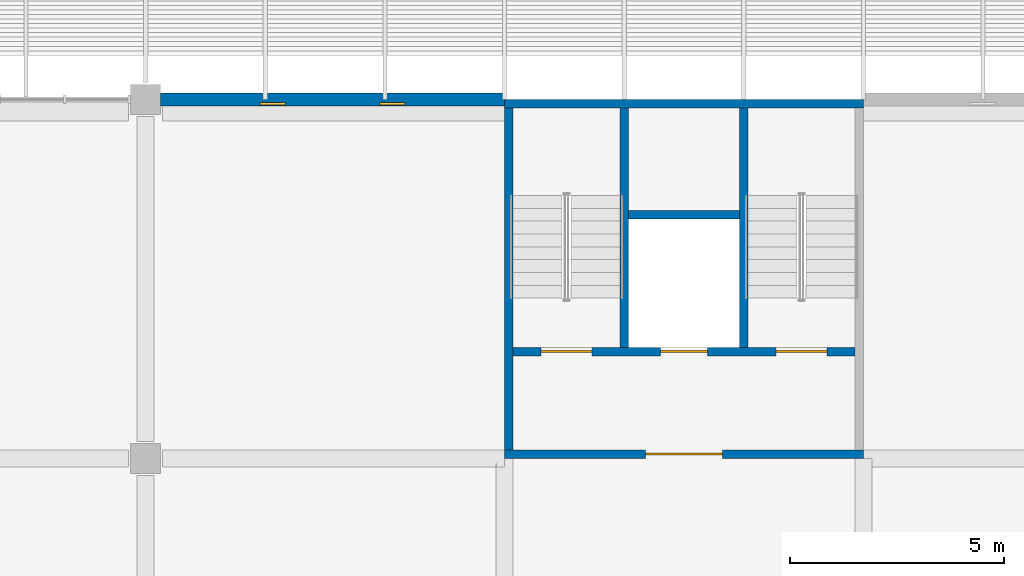
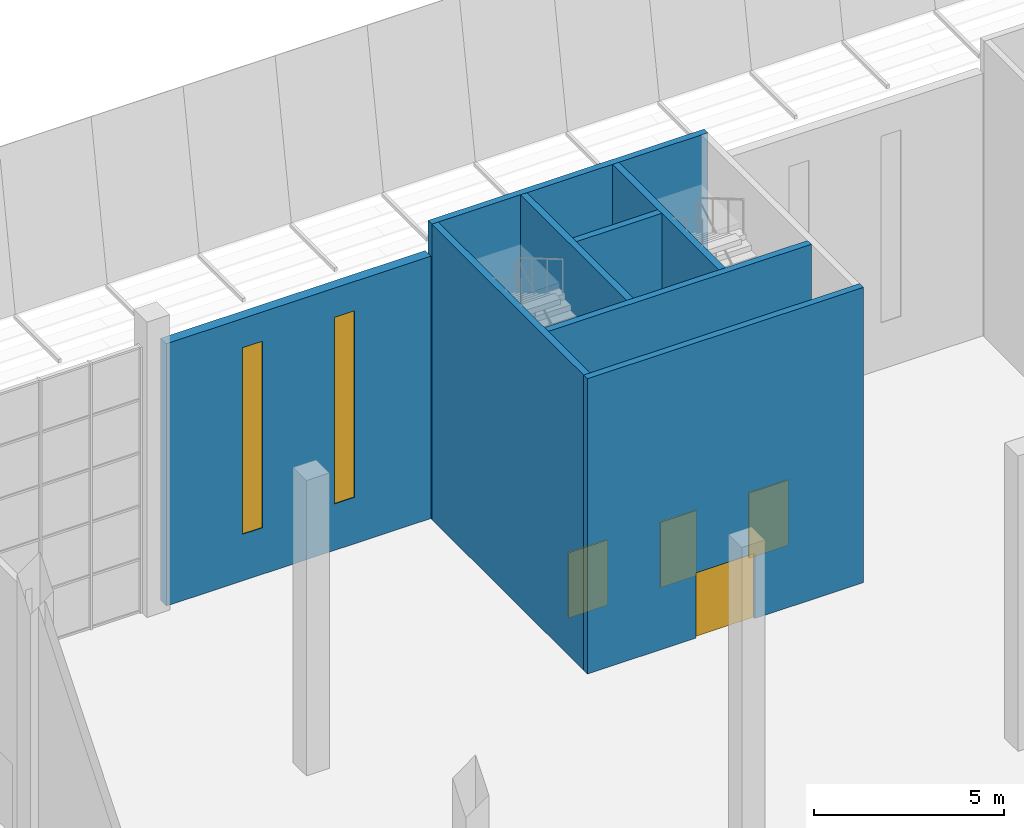
# One storey, part 48 of 114: 8 walls, 4 doors, 2 windows, 6 openings.
"""IFC4 building model written with IfcOpenShell, lengths in metres."""

from ifc_helpers import new_model, si_unit, direction, frame, frame_2d, origin, place, context, subcontext, project, spatial, rectangle, extrude, material, layer, layer_set, type_object, element, fill, save


model = new_model("IFC4")

# Units and contexts
model_context = context("Model", 3, precision=1e-05, world=origin(), true_north=direction((0.0, 1.0)))
body_context = subcontext(model_context, "Body", "Model", "MODEL_VIEW")
ifc_project = project(units=[si_unit("LENGTHUNIT", "METRE"), si_unit("AREAUNIT", "SQUARE_METRE"), si_unit("VOLUMEUNIT", "CUBIC_METRE"), si_unit("PLANEANGLEUNIT", "RADIAN"), si_unit("MASSUNIT", "GRAM", prefix="KILO")], contexts=[model_context])

# Site, building, storey
site_placement = place(None, origin())
site = spatial("IfcSite", under=ifc_project, at=site_placement, CompositionType="ELEMENT")
building_placement = place(site_placement, origin())
building = spatial("IfcBuilding", under=site, at=building_placement, Name="Almond Square Museum", CompositionType="ELEMENT")
storey_placement = place(building_placement, frame((0.0, 0.0, 10.5)))
storey = spatial("IfcBuildingStorey", under=building, at=storey_placement, Name="L02", CompositionType="ELEMENT", Elevation=10.5)

# Wall, openings, windows
ifc_material_1 = material(Name="Concrete C30/37", Category="concrete")
ifc_layer_1 = layer(ifc_material_1, 0.300048828125)
ifc_layer_set_1 = layer_set([ifc_layer_1], Name="Concrete C30/37")
wall_type_1 = type_object("IfcWallType", Name="Cast concrete wall 300 C30/37 behind louvre skin", PredefinedType="SOLIDWALL", material=ifc_layer_set_1)
wall_1_placement = place(storey_placement, frame((115.550048828125, 109.199951171875, 0.0), z_axis=(0.0, 0.0, 1.0), x_axis=(1.0, 0.0, 0.0)))
wall_1 = element("IfcWall", 1, at=wall_1_placement, inside=storey, type_object=wall_type_1, Name="External wall W1 V1 L02 N02", PredefinedType="SOLIDWALL", context=body_context, shape_type="SweptSolid", body=[
    extrude(rectangle(XDim=8.050048828125, YDim=0.300048828125, at=frame_2d((4.02490234375, 0.0))), origin(), (0.0, 0.0, 1.0), 8.43994140625),
])
opening_1_placement = place(wall_1_placement, frame((2.324951171875, 0.0, 1.5)))
opening_1 = element("IfcOpeningElement", 2, at=opening_1_placement, cuts=wall_1, Name="Opening W2107", PredefinedType="OPENING", context=body_context, shape_type="SweptSolid", body=[
    extrude(rectangle(XDim=0.60009765625, YDim=6.0, at=frame_2d((0.300048828125, 3.0))), frame((0.0, 0.159912109375, 0.0), z_axis=(0.0, -1.0, 0.0), x_axis=(1.0, 0.0, 0.0)), (0.0, 0.0, 1.0), 0.320068359375),
])
opening_2_placement = place(wall_1_placement, frame((5.125, 0.0, 1.5)))
opening_2 = element("IfcOpeningElement", 3, at=opening_2_placement, cuts=wall_1, Name="Opening W2108", PredefinedType="OPENING", context=body_context, shape_type="SweptSolid", body=[
    extrude(rectangle(XDim=0.60009765625, YDim=6.0, at=frame_2d((0.300048828125, 3.0))), frame((0.0, 0.159912109375, 0.0), z_axis=(0.0, -1.0, 0.0), x_axis=(1.0, 0.0, 0.0)), (0.0, 0.0, 1.0), 0.320068359375),
])
ifc_material_2 = material(Name="Anodised aluminium louvre and laminated glass", Category="aluminium")
window_type = type_object("IfcWindowType", Name="Tall slot window with storm louvre", PartitioningType="SINGLE_PANEL", PredefinedType="WINDOW", material=ifc_material_2)
window_1_placement = place(opening_1_placement, origin())
window_1 = element("IfcWindow", 4, at=window_1_placement, inside=storey, type_object=window_type, Name="Tall slot window with storm louvre W2107", OverallHeight=6.0, OverallWidth=0.60009765625, PartitioningType="SINGLE_PANEL", PredefinedType="WINDOW", context=body_context, shape_type="SweptSolid", body=[
    extrude(rectangle(XDim=0.60009765625, YDim=6.0, at=frame_2d((0.300048828125, 3.0))), frame((0.0, -0.070068359375, 0.0), z_axis=(0.0, -1.0, 0.0), x_axis=(1.0, 0.0, 0.0)), (0.0, 0.0, 1.0), 0.06005859375),
])
fill(opening_1, window_1)
window_2_placement = place(opening_2_placement, origin())
window_2 = element("IfcWindow", 5, at=window_2_placement, inside=storey, type_object=window_type, Name="Tall slot window with storm louvre W2108", OverallHeight=6.0, OverallWidth=0.60009765625, PartitioningType="SINGLE_PANEL", PredefinedType="WINDOW", context=body_context, shape_type="SweptSolid", body=[
    extrude(rectangle(XDim=0.60009765625, YDim=6.0, at=frame_2d((0.300048828125, 3.0))), frame((0.0, -0.070068359375, 0.0), z_axis=(0.0, -1.0, 0.0), x_axis=(1.0, 0.0, 0.0)), (0.0, 0.0, 1.0), 0.06005859375),
])
fill(opening_2, window_2)

# Wall, opening, door
ifc_material_3 = material(Name="Concrete C40/50", Category="concrete")
ifc_layer_2 = layer(ifc_material_3, 0.199951171875)
ifc_layer_set_2 = layer_set([ifc_layer_2], Name="Concrete C40/50")
wall_type_2 = type_object("IfcWallType", Name="RC shear wall 200 C40/50", PredefinedType="SHEAR", material=ifc_layer_set_2)
wall_2_placement = place(storey_placement, frame((123.60009765625, 100.89990234375, 0.0), z_axis=(0.0, 0.0, 1.0), x_axis=(1.0, 0.0, 0.0)))
wall_2 = element("IfcWall", 6, at=wall_2_placement, inside=storey, type_object=wall_type_2, Name="Core H4 south wall L02", PredefinedType="SHEAR", context=body_context, shape_type="SweptSolid", body=[
    extrude(rectangle(XDim=8.39990234375, YDim=0.199951171875, at=frame_2d((4.199951171875, 0.0))), origin(), (0.0, 0.0, 1.0), 9.5),
])
opening_3_placement = place(wall_2_placement, frame((3.300048828125, 0.0, 0.0)))
opening_3 = element("IfcOpeningElement", 7, at=opening_3_placement, cuts=wall_2, Name="Opening D2137", PredefinedType="OPENING", context=body_context, shape_type="SweptSolid", body=[
    extrude(rectangle(XDim=1.800048828125, YDim=2.10009765625, at=frame_2d((0.89990234375, 1.050048828125))), frame((0.0, 0.10986328125, 0.0), z_axis=(0.0, -1.0, 0.0), x_axis=(1.0, 0.0, 0.0)), (0.0, 0.0, 1.0), 0.219970703125),
])
ifc_material_4 = material(Name="Steel", Category="steel")
door_type_1 = type_object("IfcDoorType", Name="Fire door 1800 x 2100 FD60 double", OperationType="NOTDEFINED", PredefinedType="DOOR", material=ifc_material_4)
door_1_placement = place(opening_3_placement, origin())
door_1 = element("IfcDoor", 8, at=door_1_placement, inside=storey, type_object=door_type_1, Name="L02 stair core H4 lobby door", OperationType="DOUBLE_DOOR_SINGLE_SWING", OverallHeight=2.10009765625, OverallWidth=1.800048828125, PredefinedType="DOOR", context=body_context, shape_type="SweptSolid", body=[
    extrude(rectangle(XDim=1.800048828125, YDim=2.10009765625, at=frame_2d((0.89990234375, 1.050048828125))), frame((0.0, 0.02490234375, 0.0), z_axis=(0.0, -1.0, 0.0), x_axis=(1.0, 0.0, 0.0)), (0.0, 0.0, 1.0), 0.050048828125),
])
fill(opening_3, door_1)

# Walls
wall_3_placement = place(storey_placement, frame((123.60009765625, 109.10009765625, 0.0), z_axis=(0.0, 0.0, 1.0), x_axis=(1.0, 0.0, 0.0)))
element("IfcWall", 9, at=wall_3_placement, inside=storey, type_object=wall_type_2, Name="Core H4 north wall L02", PredefinedType="SHEAR", context=body_context, shape_type="SweptSolid", body=[
    extrude(rectangle(XDim=8.39990234375, YDim=0.199951171875, at=frame_2d((4.199951171875, 0.0))), origin(), (0.0, 0.0, 1.0), 9.5),
])
wall_4_placement = place(storey_placement, frame((123.699951171875, 101.0, 0.0), z_axis=(0.0, 0.0, 1.0), x_axis=(0.0, 1.0, 0.0)))
element("IfcWall", 10, at=wall_4_placement, inside=storey, type_object=wall_type_2, Name="Core H4 west wall L02", PredefinedType="SHEAR", context=body_context, shape_type="SweptSolid", body=[
    extrude(rectangle(XDim=8.0, YDim=0.199951171875, at=frame_2d((4.0, 0.0))), origin(), (0.0, 0.0, 1.0), 9.5),
])

# Wall, openings, doors
wall_5_placement = place(storey_placement, frame((123.800048828125, 103.300048828125, 0.0), z_axis=(0.0, 0.0, 1.0), x_axis=(1.0, 0.0, 0.0)))
wall_5 = element("IfcWall", 11, at=wall_5_placement, inside=storey, type_object=wall_type_2, Name="Core H4 lobby wall L02", PredefinedType="SHEAR", context=body_context, shape_type="SweptSolid", body=[
    extrude(rectangle(XDim=8.0, YDim=0.199951171875, at=frame_2d((4.0, 0.0))), origin(), (0.0, 0.0, 1.0), 9.5),
])
opening_4_placement = place(wall_5_placement, frame((0.64990234375, 0.0, 0.0)))
opening_4 = element("IfcOpeningElement", 12, at=opening_4_placement, cuts=wall_5, Name="Opening D2138", PredefinedType="OPENING", context=body_context, shape_type="SweptSolid", body=[
    extrude(rectangle(XDim=1.199951171875, YDim=2.10009765625, at=frame_2d((0.60009765625, 1.050048828125))), frame((0.0, 0.10986328125, 0.0), z_axis=(0.0, -1.0, 0.0), x_axis=(1.0, 0.0, 0.0)), (0.0, 0.0, 1.0), 0.219970703125),
])
opening_5_placement = place(wall_5_placement, frame((6.14990234375, 0.0, 0.0)))
opening_5 = element("IfcOpeningElement", 13, at=opening_5_placement, cuts=wall_5, Name="Opening D2139", PredefinedType="OPENING", context=body_context, shape_type="SweptSolid", body=[
    extrude(rectangle(XDim=1.199951171875, YDim=2.10009765625, at=frame_2d((0.60009765625, 1.050048828125))), frame((0.0, 0.10986328125, 0.0), z_axis=(0.0, -1.0, 0.0), x_axis=(1.0, 0.0, 0.0)), (0.0, 0.0, 1.0), 0.219970703125),
])
opening_6_placement = place(wall_5_placement, frame((3.449951171875, 0.0, 0.0)))
opening_6 = element("IfcOpeningElement", 14, at=opening_6_placement, cuts=wall_5, Name="Opening D2140", PredefinedType="OPENING", context=body_context, shape_type="SweptSolid", body=[
    extrude(rectangle(XDim=1.10009765625, YDim=2.10009765625, at=frame_2d((0.550048828125, 1.050048828125))), frame((0.0, 0.10986328125, 0.0), z_axis=(0.0, -1.0, 0.0), x_axis=(1.0, 0.0, 0.0)), (0.0, 0.0, 1.0), 0.219970703125),
])
ifc_material_5 = material(Name="Steel", Category="steel")
door_type_2 = type_object("IfcDoorType", Name="Fire door 1200 x 2100 FD120 stair", OperationType="NOTDEFINED", PredefinedType="DOOR", material=ifc_material_5)
door_2_placement = place(opening_4_placement, origin())
door_2 = element("IfcDoor", 15, at=door_2_placement, inside=storey, type_object=door_type_2, Name="L02 stair H4-1 door", OperationType="SINGLE_SWING_LEFT", OverallHeight=2.10009765625, OverallWidth=1.199951171875, PredefinedType="DOOR", context=body_context, shape_type="SweptSolid", body=[
    extrude(rectangle(XDim=1.199951171875, YDim=2.10009765625, at=frame_2d((0.60009765625, 1.050048828125))), frame((0.0, 0.02490234375, 0.0), z_axis=(0.0, -1.0, 0.0), x_axis=(1.0, 0.0, 0.0)), (0.0, 0.0, 1.0), 0.050048828125),
])
fill(opening_4, door_2)
door_3_placement = place(opening_5_placement, origin())
door_3 = element("IfcDoor", 16, at=door_3_placement, inside=storey, type_object=door_type_2, Name="L02 stair H4-2 door", OperationType="SINGLE_SWING_RIGHT", OverallHeight=2.10009765625, OverallWidth=1.199951171875, PredefinedType="DOOR", context=body_context, shape_type="SweptSolid", body=[
    extrude(rectangle(XDim=1.199951171875, YDim=2.10009765625, at=frame_2d((0.60009765625, 1.050048828125))), frame((0.0, 0.02490234375, 0.0), z_axis=(0.0, -1.0, 0.0), x_axis=(1.0, 0.0, 0.0)), (0.0, 0.0, 1.0), 0.050048828125),
])
fill(opening_5, door_3)
ifc_material_6 = material(Name="Stainless steel", Category="steel")
door_type_3 = type_object("IfcDoorType", Name="Lift landing door 1100 x 2100", OperationType="NOTDEFINED", PredefinedType="DOOR", material=ifc_material_6)
door_4_placement = place(opening_6_placement, origin())
door_4 = element("IfcDoor", 17, at=door_4_placement, inside=storey, type_object=door_type_3, Name="L02 lift PL-H4 landing door", OperationType="DOUBLE_DOOR_SLIDING", OverallHeight=2.10009765625, OverallWidth=1.10009765625, PredefinedType="DOOR", context=body_context, shape_type="SweptSolid", body=[
    extrude(rectangle(XDim=1.10009765625, YDim=2.10009765625, at=frame_2d((0.550048828125, 1.050048828125))), frame((0.0, 0.02490234375, 0.0), z_axis=(0.0, -1.0, 0.0), x_axis=(1.0, 0.0, 0.0)), (0.0, 0.0, 1.0), 0.050048828125),
])
fill(opening_6, door_4)

# Walls
for number, where, z_axis, x_axis, name in (
    (18, (126.39990234375, 103.39990234375, 0.0), (0.0, 0.0, 1.0), (0.0, 1.0, 0.0), "Core H4 partition wall L02"),
    (19, (129.199951171875, 103.39990234375, 0.0), (0.0, 0.0, 1.0), (0.0, 1.0, 0.0), "Core H4 partition wall L02"),
):
    element("IfcWall", number, at=place(storey_placement, frame(where, z_axis=z_axis, x_axis=x_axis)), inside=storey, type_object=wall_type_2, Name=name, PredefinedType="SHEAR", context=body_context, shape_type="SweptSolid", body=[
        extrude(rectangle(XDim=5.60009765625, YDim=0.199951171875, at=frame_2d((2.800048828125, 0.0))), origin(), (0.0, 0.0, 1.0), 9.5),
    ])
wall_6_placement = place(storey_placement, frame((126.5, 106.5, 0.0), z_axis=(0.0, 0.0, 1.0), x_axis=(1.0, 0.0, 0.0)))
element("IfcWall", 20, at=wall_6_placement, inside=storey, type_object=wall_type_2, Name="Core H4 partition wall L02", PredefinedType="SHEAR", context=body_context, shape_type="SweptSolid", body=[
    extrude(rectangle(XDim=2.60009765625, YDim=0.199951171875, at=frame_2d((1.300048828125, 0.0))), origin(), (0.0, 0.0, 1.0), 9.5),
])

save(model, "model.ifc")
